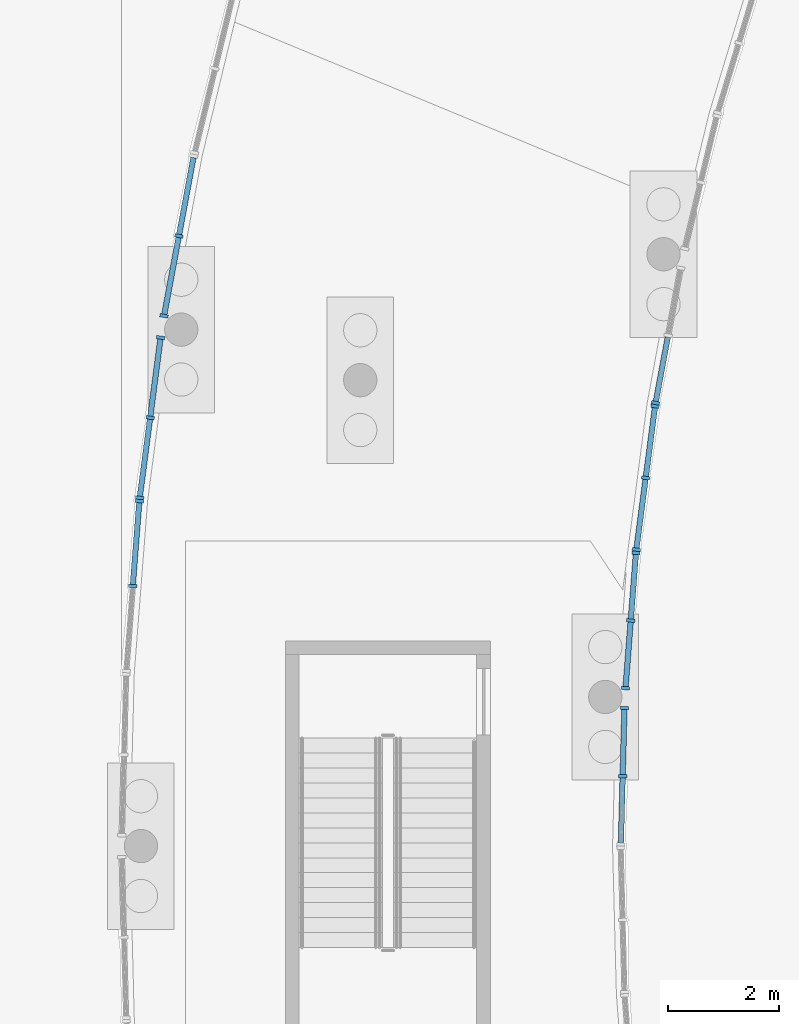
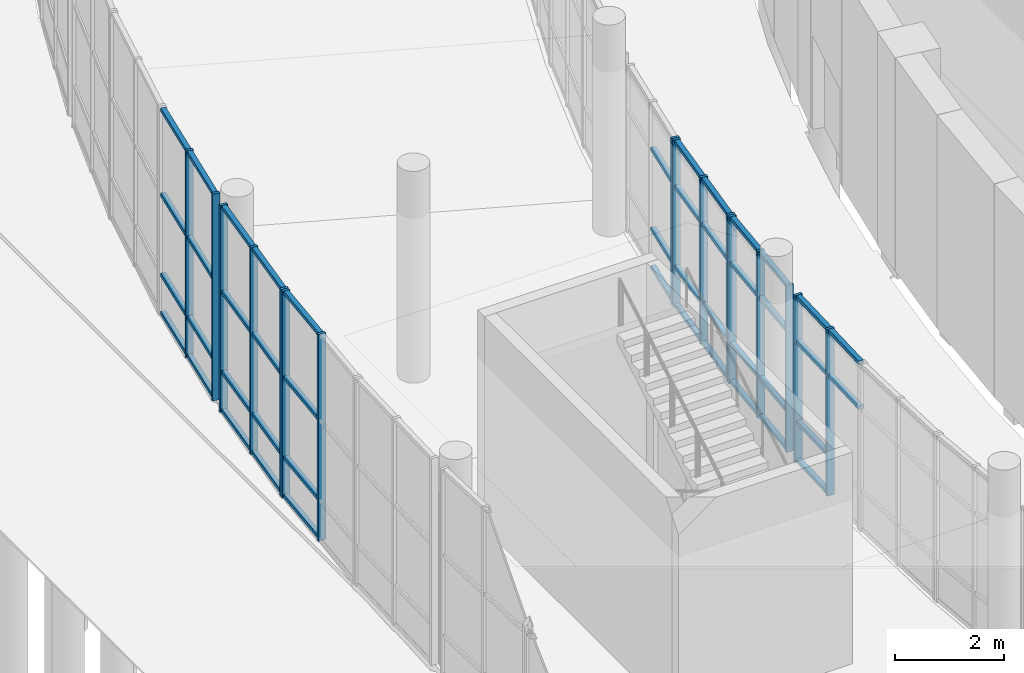
# One storey, part 23 of 110: 61 members, 7 elements without a shape of their own.
"""IFC4 building model written with IfcOpenShell, lengths in metres."""

from ifc_helpers import new_model, si_unit, direction, frame, origin, origin_2d, place, context, subcontext, project, spatial, rectangle, extrude, material, layer, layer_set, material_profile, profile_set, type_object, element, aggregate, save


model = new_model("IFC4")

# Units and contexts
model_context = context("Model", 3, precision=1e-05, world=origin(), true_north=direction((0.0, 1.0)))
body_context = subcontext(model_context, "Body", "Model", "MODEL_VIEW")
ifc_project = project(units=[si_unit("LENGTHUNIT", "METRE"), si_unit("AREAUNIT", "SQUARE_METRE"), si_unit("VOLUMEUNIT", "CUBIC_METRE"), si_unit("PLANEANGLEUNIT", "RADIAN"), si_unit("MASSUNIT", "GRAM", prefix="KILO")], contexts=[model_context])

# Site, building, storey
site_placement = place(None, origin())
site = spatial("IfcSite", under=ifc_project, at=site_placement, CompositionType="ELEMENT")
building_placement = place(site_placement, origin())
building = spatial("IfcBuilding", under=site, at=building_placement, Name="Larchfold Concert Hall", CompositionType="ELEMENT")
storey_placement = place(building_placement, origin())
storey = spatial("IfcBuildingStorey", under=building, at=storey_placement, Name="L00", CompositionType="ELEMENT", Elevation=0.0)

# Curtain wall, members
ifc_material_1 = material(Name="Anodised graphite aluminium curtain wall", Category="aluminium")
ifc_layer = layer(ifc_material_1, 0.14990234375)
ifc_layer_set = layer_set([ifc_layer], Name="Anodised graphite aluminium curtain wall")
curtain_wall_type = type_object("IfcCurtainWallType", Name="Curtain wall WG", PredefinedType="NOTDEFINED", material=ifc_layer_set)
curtain_wall_1_placement = place(storey_placement, origin())
curtain_wall_1 = element("IfcCurtainWall", 1, at=curtain_wall_1_placement, inside=storey, type_object=curtain_wall_type, Name="Curtain wall CW0071", PredefinedType="NOTDEFINED")
ifc_material_2 = material(Name="Anodised graphite aluminium mullion", Category="aluminium")
ifc_material_profile_1 = material_profile(ifc_material_2, rectangle(XDim=0.14990234375, YDim=0.06005859375, at=origin_2d()))
ifc_profile_set_1 = profile_set([ifc_material_profile_1], Name="Anodised graphite aluminium mullion")
member_type_1 = type_object("IfcMemberType", Name="Aluminium mullion 60x150", PredefinedType="MULLION", material=ifc_profile_set_1)
member_1_placement = place(storey_placement, frame((13.731201171875, 85.860107421875, 0.0), z_axis=(0.0, 0.0, 1.0), x_axis=(-0.999668113706, 0.025761646688, 0.0)))
member_1 = element("IfcMember", 2, at=member_1_placement, type_object=member_type_1, Name="CW0071 mullion 2", PredefinedType="MULLION", context=body_context, shape_type="SweptSolid", body=[
    extrude(rectangle(XDim=0.14990234375, YDim=0.06005859375, at=origin_2d()), origin(), (0.0, 0.0, 1.0), 3.75),
])
member_2_placement = place(storey_placement, frame((13.762939453125, 87.090087890625, 0.0), z_axis=(0.0, 0.0, 1.0), x_axis=(-0.999668113706, 0.025761646688, 0.0)))
member_2 = element("IfcMember", 3, at=member_2_placement, type_object=member_type_1, Name="CW0071 mullion 3", PredefinedType="MULLION", context=body_context, shape_type="SweptSolid", body=[
    extrude(rectangle(XDim=0.14990234375, YDim=0.06005859375, at=origin_2d()), origin(), (0.0, 0.0, 1.0), 3.75),
])

curtain_wall_2_placement = place(storey_placement, origin())
curtain_wall_2 = element("IfcCurtainWall", 4, at=curtain_wall_2_placement, inside=storey, type_object=curtain_wall_type, Name="Curtain wall CW0072", PredefinedType="NOTDEFINED")
member_3_placement = place(storey_placement, frame((13.781982421875, 87.44775390625, 0.0), z_axis=(0.0, 0.0, 1.0), x_axis=(-0.996988209709, 0.077553270089, 0.0)))
member_3 = element("IfcMember", 5, at=member_3_placement, type_object=member_type_1, Name="CW0072 mullion 1", PredefinedType="MULLION", context=body_context, shape_type="SweptSolid", body=[
    extrude(rectangle(XDim=0.14990234375, YDim=0.06005859375, at=origin_2d()), origin(), (0.0, 0.0, 1.0), 3.75),
])
member_4_placement = place(storey_placement, frame((13.876708984375, 88.666748046875, 0.0), z_axis=(0.0, 0.0, 1.0), x_axis=(-0.996988209709, 0.077553270089, 0.0)))
member_4 = element("IfcMember", 6, at=member_4_placement, type_object=member_type_1, Name="CW0072 mullion 2", PredefinedType="MULLION", context=body_context, shape_type="SweptSolid", body=[
    extrude(rectangle(XDim=0.14990234375, YDim=0.06005859375, at=origin_2d()), origin(), (0.0, 0.0, 1.0), 3.75),
])
member_5_placement = place(storey_placement, frame((13.971435546875, 89.885986328125, 0.0), z_axis=(0.0, 0.0, 1.0), x_axis=(-0.996988209709, 0.077553270089, 0.0)))
member_5 = element("IfcMember", 7, at=member_5_placement, type_object=member_type_1, Name="CW0072 mullion 3", PredefinedType="MULLION", context=body_context, shape_type="SweptSolid", body=[
    extrude(rectangle(XDim=0.14990234375, YDim=0.06005859375, at=origin_2d()), origin(), (0.0, 0.0, 1.0), 3.75),
])

curtain_wall_3_placement = place(storey_placement, origin())
curtain_wall_3 = element("IfcCurtainWall", 8, at=curtain_wall_3_placement, inside=storey, type_object=curtain_wall_type, Name="Curtain wall CW0073", PredefinedType="NOTDEFINED")
member_6_placement = place(storey_placement, frame((13.977783203125, 89.94580078125, 0.0), z_axis=(0.0, 0.0, 1.0), x_axis=(-0.991560542069, 0.129644480836, 0.0)))
member_6 = element("IfcMember", 9, at=member_6_placement, type_object=member_type_1, Name="CW0073 mullion 1", PredefinedType="MULLION", context=body_context, shape_type="SweptSolid", body=[
    extrude(rectangle(XDim=0.14990234375, YDim=0.06005859375, at=origin_2d()), origin(), (0.0, 0.0, 1.0), 3.75),
])
member_7_placement = place(storey_placement, frame((14.146728515625, 91.238037109375, 0.0), z_axis=(0.0, 0.0, 1.0), x_axis=(-0.991560542069, 0.129644480836, 0.0)))
member_7 = element("IfcMember", 10, at=member_7_placement, type_object=member_type_1, Name="CW0073 mullion 2", PredefinedType="MULLION", context=body_context, shape_type="SweptSolid", body=[
    extrude(rectangle(XDim=0.14990234375, YDim=0.06005859375, at=origin_2d()), origin(), (0.0, 0.0, 1.0), 3.75),
])
member_8_placement = place(storey_placement, frame((14.315673828125, 92.5302734375, 0.0), z_axis=(0.0, 0.0, 1.0), x_axis=(-0.991560542069, 0.129644480836, 0.0)))
member_8 = element("IfcMember", 11, at=member_8_placement, type_object=member_type_1, Name="CW0073 mullion 3", PredefinedType="MULLION", context=body_context, shape_type="SweptSolid", body=[
    extrude(rectangle(XDim=0.14990234375, YDim=0.06005859375, at=origin_2d()), origin(), (0.0, 0.0, 1.0), 3.75),
])

# Curtain wall, member
curtain_wall_4_placement = place(storey_placement, origin())
curtain_wall_4 = element("IfcCurtainWall", 12, at=curtain_wall_4_placement, inside=storey, type_object=curtain_wall_type, Name="Curtain wall CW0074", PredefinedType="NOTDEFINED")
member_9_placement = place(storey_placement, frame((14.324951171875, 92.589599609375, 0.0), z_axis=(0.0, 0.0, 1.0), x_axis=(-0.983232729264, 0.182355148282, 0.0)))
member_9 = element("IfcMember", 13, at=member_9_placement, type_object=member_type_1, Name="CW0074 mullion 1", PredefinedType="MULLION", context=body_context, shape_type="SweptSolid", body=[
    extrude(rectangle(XDim=0.14990234375, YDim=0.06005859375, at=origin_2d()), origin(), (0.0, 0.0, 1.0), 3.75),
])

# Curtain wall, members
curtain_wall_5_placement = place(storey_placement, origin())
curtain_wall_5 = element("IfcCurtainWall", 14, at=curtain_wall_5_placement, inside=storey, type_object=curtain_wall_type, Name="Curtain wall CW0115", PredefinedType="NOTDEFINED")
member_10_placement = place(storey_placement, frame((5.72998046875, 95.600341796875, 0.0), z_axis=(0.0, 0.0, 1.0), x_axis=(0.983234339724, -0.182346464695, 0.0)))
member_10 = element("IfcMember", 15, at=member_10_placement, type_object=member_type_1, Name="CW0115 mullion 2", PredefinedType="MULLION", context=body_context, shape_type="SweptSolid", body=[
    extrude(rectangle(XDim=0.14990234375, YDim=0.06005859375, at=origin_2d()), origin(), (0.0, 0.0, 1.0), 4.64990234375),
])
member_11_placement = place(storey_placement, frame((5.462646484375, 94.159423828125, 0.0), z_axis=(0.0, 0.0, 1.0), x_axis=(0.983234339724, -0.182346464695, 0.0)))
member_11 = element("IfcMember", 16, at=member_11_placement, type_object=member_type_1, Name="CW0115 mullion 3", PredefinedType="MULLION", context=body_context, shape_type="SweptSolid", body=[
    extrude(rectangle(XDim=0.14990234375, YDim=0.06005859375, at=origin_2d()), origin(), (0.0, 0.0, 1.0), 4.64990234375),
])

curtain_wall_6_placement = place(storey_placement, origin())
curtain_wall_6 = element("IfcCurtainWall", 17, at=curtain_wall_6_placement, inside=storey, type_object=curtain_wall_type, Name="Curtain wall CW0116", PredefinedType="NOTDEFINED")
member_12_placement = place(storey_placement, frame((5.40087890625, 93.767333984375, 0.0), z_axis=(0.0, 0.0, 1.0), x_axis=(0.991547671158, -0.129742883511, 0.0)))
member_12 = element("IfcMember", 18, at=member_12_placement, type_object=member_type_1, Name="CW0116 mullion 1", PredefinedType="MULLION", context=body_context, shape_type="SweptSolid", body=[
    extrude(rectangle(XDim=0.14990234375, YDim=0.06005859375, at=origin_2d()), origin(), (0.0, 0.0, 1.0), 4.64990234375),
])
member_13_placement = place(storey_placement, frame((5.2119140625, 92.322998046875, 0.0), z_axis=(0.0, 0.0, 1.0), x_axis=(0.991547671158, -0.129742883511, 0.0)))
member_13 = element("IfcMember", 19, at=member_13_placement, type_object=member_type_1, Name="CW0116 mullion 2", PredefinedType="MULLION", context=body_context, shape_type="SweptSolid", body=[
    extrude(rectangle(XDim=0.14990234375, YDim=0.06005859375, at=origin_2d()), origin(), (0.0, 0.0, 1.0), 4.64990234375),
])
member_14_placement = place(storey_placement, frame((5.02294921875, 90.87890625, 0.0), z_axis=(0.0, 0.0, 1.0), x_axis=(0.991547671158, -0.129742883511, 0.0)))
member_14 = element("IfcMember", 20, at=member_14_placement, type_object=member_type_1, Name="CW0116 mullion 3", PredefinedType="MULLION", context=body_context, shape_type="SweptSolid", body=[
    extrude(rectangle(XDim=0.14990234375, YDim=0.06005859375, at=origin_2d()), origin(), (0.0, 0.0, 1.0), 4.64990234375),
])

curtain_wall_7_placement = place(storey_placement, origin())
curtain_wall_7 = element("IfcCurtainWall", 21, at=curtain_wall_7_placement, inside=storey, type_object=curtain_wall_type, Name="Curtain wall CW0117", PredefinedType="NOTDEFINED")
member_15_placement = place(storey_placement, frame((5.0166015625, 90.819091796875, 0.0), z_axis=(0.0, 0.0, 1.0), x_axis=(0.996995051834, -0.077465260721, 0.0)))
member_15 = element("IfcMember", 22, at=member_15_placement, type_object=member_type_1, Name="CW0117 mullion 1", PredefinedType="MULLION", context=body_context, shape_type="SweptSolid", body=[
    extrude(rectangle(XDim=0.14990234375, YDim=0.06005859375, at=origin_2d()), origin(), (0.0, 0.0, 1.0), 4.64990234375),
])
member_16_placement = place(storey_placement, frame((4.897705078125, 89.28759765625, 0.0), z_axis=(0.0, 0.0, 1.0), x_axis=(0.996995051834, -0.077465260721, 0.0)))
member_16 = element("IfcMember", 23, at=member_16_placement, type_object=member_type_1, Name="CW0117 mullion 2", PredefinedType="MULLION", context=body_context, shape_type="SweptSolid", body=[
    extrude(rectangle(XDim=0.14990234375, YDim=0.06005859375, at=origin_2d()), origin(), (0.0, 0.0, 1.0), 4.64990234375),
])

# Member
ifc_material_3 = material(Name="Anodised graphite aluminium transom", Category="aluminium")
ifc_material_profile_2 = material_profile(ifc_material_3, rectangle(XDim=0.10009765625, YDim=0.080078125, at=origin_2d()))
ifc_profile_set_2 = profile_set([ifc_material_profile_2], Name="Anodised graphite aluminium transom")
member_type_2 = type_object("IfcMemberType", Name="Aluminium transom 80x100", PredefinedType="USERDEFINED", material=ifc_profile_set_2)
member_17_placement = place(storey_placement, frame((13.7001953125, 84.66015625, 2.699951171875), z_axis=(0.025867801791, 0.999665372427, 0.0), x_axis=(-0.999665372427, 0.025867801791, 0.0)))
member_17 = element("IfcMember", 24, at=member_17_placement, type_object=member_type_2, Name="CW0071 transom 1.3", ObjectType="TRANSOM", PredefinedType="USERDEFINED", context=body_context, shape_type="SweptSolid", body=[
    extrude(rectangle(XDim=0.10009765625, YDim=0.080078125, at=origin_2d()), origin(), (0.0, 0.0, 1.0), 1.17041015625),
])

member_18_placement = place(storey_placement, frame((13.7001953125, 84.66015625, 3.7099609375), z_axis=(0.025867801791, 0.999665372427, 0.0), x_axis=(-0.999665372427, 0.025867801791, 0.0)))
member_18 = element("IfcMember", 25, at=member_18_placement, type_object=member_type_2, Name="CW0071 transom 1.4", ObjectType="TRANSOM", PredefinedType="USERDEFINED", context=body_context, shape_type="SweptSolid", body=[
    extrude(rectangle(XDim=0.10009765625, YDim=0.080078125, at=origin_2d()), origin(), (0.0, 0.0, 1.0), 1.17041015625),
])

member_19_placement = place(storey_placement, frame((13.73193359375, 85.89013671875, 0.0400390625), z_axis=(0.025867801791, 0.999665372427, 0.0), x_axis=(-0.999665372427, 0.025867801791, 0.0)))
member_19 = element("IfcMember", 26, at=member_19_placement, type_object=member_type_2, Name="CW0071 transom 2.1", ObjectType="TRANSOM", PredefinedType="USERDEFINED", context=body_context, shape_type="SweptSolid", body=[
    extrude(rectangle(XDim=0.10009765625, YDim=0.080078125, at=origin_2d()), origin(), (0.0, 0.0, 1.0), 1.17041015625),
])

member_20_placement = place(storey_placement, frame((13.73193359375, 85.89013671875, 0.89990234375), z_axis=(0.025867801791, 0.999665372427, 0.0), x_axis=(-0.999665372427, 0.025867801791, 0.0)))
member_20 = element("IfcMember", 27, at=member_20_placement, type_object=member_type_2, Name="CW0071 transom 2.2", ObjectType="TRANSOM", PredefinedType="USERDEFINED", context=body_context, shape_type="SweptSolid", body=[
    extrude(rectangle(XDim=0.10009765625, YDim=0.080078125, at=origin_2d()), origin(), (0.0, 0.0, 1.0), 1.17041015625),
])

member_21_placement = place(storey_placement, frame((13.73193359375, 85.89013671875, 2.699951171875), z_axis=(0.025867801791, 0.999665372427, 0.0), x_axis=(-0.999665372427, 0.025867801791, 0.0)))
member_21 = element("IfcMember", 28, at=member_21_placement, type_object=member_type_2, Name="CW0071 transom 2.3", ObjectType="TRANSOM", PredefinedType="USERDEFINED", context=body_context, shape_type="SweptSolid", body=[
    extrude(rectangle(XDim=0.10009765625, YDim=0.080078125, at=origin_2d()), origin(), (0.0, 0.0, 1.0), 1.17041015625),
])

member_22_placement = place(storey_placement, frame((13.73193359375, 85.89013671875, 3.7099609375), z_axis=(0.025867801791, 0.999665372427, 0.0), x_axis=(-0.999665372427, 0.025867801791, 0.0)))
member_22 = element("IfcMember", 29, at=member_22_placement, type_object=member_type_2, Name="CW0071 transom 2.4", ObjectType="TRANSOM", PredefinedType="USERDEFINED", context=body_context, shape_type="SweptSolid", body=[
    extrude(rectangle(XDim=0.10009765625, YDim=0.080078125, at=origin_2d()), origin(), (0.0, 0.0, 1.0), 1.17041015625),
])

aggregate(curtain_wall_1, [member_1, member_2, member_17, member_18, member_19, member_20, member_21, member_22])

member_23_placement = place(storey_placement, frame((13.7841796875, 87.4775390625, 0.0400390625), z_axis=(0.077467071428, 0.996994911143, 0.0), x_axis=(-0.996994911143, 0.077467071428, 0.0)))
member_23 = element("IfcMember", 30, at=member_23_placement, type_object=member_type_2, Name="CW0072 transom 1.1", ObjectType="TRANSOM", PredefinedType="USERDEFINED", context=body_context, shape_type="SweptSolid", body=[
    extrude(rectangle(XDim=0.10009765625, YDim=0.080078125, at=origin_2d()), origin(), (0.0, 0.0, 1.0), 1.162841796875),
])

member_24_placement = place(storey_placement, frame((13.7841796875, 87.4775390625, 0.89990234375), z_axis=(0.077467071428, 0.996994911143, 0.0), x_axis=(-0.996994911143, 0.077467071428, 0.0)))
member_24 = element("IfcMember", 31, at=member_24_placement, type_object=member_type_2, Name="CW0072 transom 1.2", ObjectType="TRANSOM", PredefinedType="USERDEFINED", context=body_context, shape_type="SweptSolid", body=[
    extrude(rectangle(XDim=0.10009765625, YDim=0.080078125, at=origin_2d()), origin(), (0.0, 0.0, 1.0), 1.162841796875),
])

member_25_placement = place(storey_placement, frame((13.7841796875, 87.4775390625, 2.699951171875), z_axis=(0.077467071428, 0.996994911143, 0.0), x_axis=(-0.996994911143, 0.077467071428, 0.0)))
member_25 = element("IfcMember", 32, at=member_25_placement, type_object=member_type_2, Name="CW0072 transom 1.3", ObjectType="TRANSOM", PredefinedType="USERDEFINED", context=body_context, shape_type="SweptSolid", body=[
    extrude(rectangle(XDim=0.10009765625, YDim=0.080078125, at=origin_2d()), origin(), (0.0, 0.0, 1.0), 1.162841796875),
])

member_26_placement = place(storey_placement, frame((13.7841796875, 87.4775390625, 3.7099609375), z_axis=(0.077467071428, 0.996994911143, 0.0), x_axis=(-0.996994911143, 0.077467071428, 0.0)))
member_26 = element("IfcMember", 33, at=member_26_placement, type_object=member_type_2, Name="CW0072 transom 1.4", ObjectType="TRANSOM", PredefinedType="USERDEFINED", context=body_context, shape_type="SweptSolid", body=[
    extrude(rectangle(XDim=0.10009765625, YDim=0.080078125, at=origin_2d()), origin(), (0.0, 0.0, 1.0), 1.162841796875),
])

member_27_placement = place(storey_placement, frame((13.879150390625, 88.69677734375, 0.0400390625), z_axis=(0.077467071428, 0.996994911143, 0.0), x_axis=(-0.996994911143, 0.077467071428, 0.0)))
member_27 = element("IfcMember", 34, at=member_27_placement, type_object=member_type_2, Name="CW0072 transom 2.1", ObjectType="TRANSOM", PredefinedType="USERDEFINED", context=body_context, shape_type="SweptSolid", body=[
    extrude(rectangle(XDim=0.10009765625, YDim=0.080078125, at=origin_2d()), origin(), (0.0, 0.0, 1.0), 1.162841796875),
])

member_28_placement = place(storey_placement, frame((13.879150390625, 88.69677734375, 0.89990234375), z_axis=(0.077467071428, 0.996994911143, 0.0), x_axis=(-0.996994911143, 0.077467071428, 0.0)))
member_28 = element("IfcMember", 35, at=member_28_placement, type_object=member_type_2, Name="CW0072 transom 2.2", ObjectType="TRANSOM", PredefinedType="USERDEFINED", context=body_context, shape_type="SweptSolid", body=[
    extrude(rectangle(XDim=0.10009765625, YDim=0.080078125, at=origin_2d()), origin(), (0.0, 0.0, 1.0), 1.162841796875),
])

member_29_placement = place(storey_placement, frame((13.879150390625, 88.69677734375, 2.699951171875), z_axis=(0.077467071428, 0.996994911143, 0.0), x_axis=(-0.996994911143, 0.077467071428, 0.0)))
member_29 = element("IfcMember", 36, at=member_29_placement, type_object=member_type_2, Name="CW0072 transom 2.3", ObjectType="TRANSOM", PredefinedType="USERDEFINED", context=body_context, shape_type="SweptSolid", body=[
    extrude(rectangle(XDim=0.10009765625, YDim=0.080078125, at=origin_2d()), origin(), (0.0, 0.0, 1.0), 1.162841796875),
])

member_30_placement = place(storey_placement, frame((13.879150390625, 88.69677734375, 3.7099609375), z_axis=(0.077467071428, 0.996994911143, 0.0), x_axis=(-0.996994911143, 0.077467071428, 0.0)))
member_30 = element("IfcMember", 37, at=member_30_placement, type_object=member_type_2, Name="CW0072 transom 2.4", ObjectType="TRANSOM", PredefinedType="USERDEFINED", context=body_context, shape_type="SweptSolid", body=[
    extrude(rectangle(XDim=0.10009765625, YDim=0.080078125, at=origin_2d()), origin(), (0.0, 0.0, 1.0), 1.162841796875),
])

aggregate(curtain_wall_2, [member_3, member_4, member_5, member_23, member_24, member_25, member_26, member_27, member_28, member_29, member_30])

member_31_placement = place(storey_placement, frame((13.981689453125, 89.9755859375, 0.0400390625), z_axis=(0.129616239755, 0.991564234123, 0.0), x_axis=(-0.991564234123, 0.129616239755, 0.0)))
member_31 = element("IfcMember", 38, at=member_31_placement, type_object=member_type_2, Name="CW0073 transom 1.1", ObjectType="TRANSOM", PredefinedType="USERDEFINED", context=body_context, shape_type="SweptSolid", body=[
    extrude(rectangle(XDim=0.10009765625, YDim=0.080078125, at=origin_2d()), origin(), (0.0, 0.0, 1.0), 1.2431640625),
])

member_32_placement = place(storey_placement, frame((13.981689453125, 89.9755859375, 0.89990234375), z_axis=(0.129616239755, 0.991564234123, 0.0), x_axis=(-0.991564234123, 0.129616239755, 0.0)))
member_32 = element("IfcMember", 39, at=member_32_placement, type_object=member_type_2, Name="CW0073 transom 1.2", ObjectType="TRANSOM", PredefinedType="USERDEFINED", context=body_context, shape_type="SweptSolid", body=[
    extrude(rectangle(XDim=0.10009765625, YDim=0.080078125, at=origin_2d()), origin(), (0.0, 0.0, 1.0), 1.2431640625),
])

member_33_placement = place(storey_placement, frame((13.981689453125, 89.9755859375, 2.699951171875), z_axis=(0.129616239755, 0.991564234123, 0.0), x_axis=(-0.991564234123, 0.129616239755, 0.0)))
member_33 = element("IfcMember", 40, at=member_33_placement, type_object=member_type_2, Name="CW0073 transom 1.3", ObjectType="TRANSOM", PredefinedType="USERDEFINED", context=body_context, shape_type="SweptSolid", body=[
    extrude(rectangle(XDim=0.10009765625, YDim=0.080078125, at=origin_2d()), origin(), (0.0, 0.0, 1.0), 1.2431640625),
])

member_34_placement = place(storey_placement, frame((13.981689453125, 89.9755859375, 3.7099609375), z_axis=(0.129616239755, 0.991564234123, 0.0), x_axis=(-0.991564234123, 0.129616239755, 0.0)))
member_34 = element("IfcMember", 41, at=member_34_placement, type_object=member_type_2, Name="CW0073 transom 1.4", ObjectType="TRANSOM", PredefinedType="USERDEFINED", context=body_context, shape_type="SweptSolid", body=[
    extrude(rectangle(XDim=0.10009765625, YDim=0.080078125, at=origin_2d()), origin(), (0.0, 0.0, 1.0), 1.2431640625),
])

member_35_placement = place(storey_placement, frame((14.150634765625, 91.267822265625, 0.0400390625), z_axis=(0.129616239755, 0.991564234123, 0.0), x_axis=(-0.991564234123, 0.129616239755, 0.0)))
member_35 = element("IfcMember", 42, at=member_35_placement, type_object=member_type_2, Name="CW0073 transom 2.1", ObjectType="TRANSOM", PredefinedType="USERDEFINED", context=body_context, shape_type="SweptSolid", body=[
    extrude(rectangle(XDim=0.10009765625, YDim=0.080078125, at=origin_2d()), origin(), (0.0, 0.0, 1.0), 1.2431640625),
])

member_36_placement = place(storey_placement, frame((14.150634765625, 91.267822265625, 0.89990234375), z_axis=(0.129616239755, 0.991564234123, 0.0), x_axis=(-0.991564234123, 0.129616239755, 0.0)))
member_36 = element("IfcMember", 43, at=member_36_placement, type_object=member_type_2, Name="CW0073 transom 2.2", ObjectType="TRANSOM", PredefinedType="USERDEFINED", context=body_context, shape_type="SweptSolid", body=[
    extrude(rectangle(XDim=0.10009765625, YDim=0.080078125, at=origin_2d()), origin(), (0.0, 0.0, 1.0), 1.2431640625),
])

member_37_placement = place(storey_placement, frame((14.150634765625, 91.267822265625, 2.699951171875), z_axis=(0.129616239755, 0.991564234123, 0.0), x_axis=(-0.991564234123, 0.129616239755, 0.0)))
member_37 = element("IfcMember", 44, at=member_37_placement, type_object=member_type_2, Name="CW0073 transom 2.3", ObjectType="TRANSOM", PredefinedType="USERDEFINED", context=body_context, shape_type="SweptSolid", body=[
    extrude(rectangle(XDim=0.10009765625, YDim=0.080078125, at=origin_2d()), origin(), (0.0, 0.0, 1.0), 1.2431640625),
])

member_38_placement = place(storey_placement, frame((14.150634765625, 91.267822265625, 3.7099609375), z_axis=(0.129616239755, 0.991564234123, 0.0), x_axis=(-0.991564234123, 0.129616239755, 0.0)))
member_38 = element("IfcMember", 45, at=member_38_placement, type_object=member_type_2, Name="CW0073 transom 2.4", ObjectType="TRANSOM", PredefinedType="USERDEFINED", context=body_context, shape_type="SweptSolid", body=[
    extrude(rectangle(XDim=0.10009765625, YDim=0.080078125, at=origin_2d()), origin(), (0.0, 0.0, 1.0), 1.2431640625),
])

aggregate(curtain_wall_3, [member_6, member_7, member_8, member_31, member_32, member_33, member_34, member_35, member_36, member_37, member_38])

member_39_placement = place(storey_placement, frame((14.33056640625, 92.619140625, 0.0400390625), z_axis=(0.18231976708, 0.983239290576, 0.0), x_axis=(-0.983239290576, 0.18231976708, 0.0)))
member_39 = element("IfcMember", 46, at=member_39_placement, type_object=member_type_2, Name="CW0074 transom 1.1", ObjectType="TRANSOM", PredefinedType="USERDEFINED", context=body_context, shape_type="SweptSolid", body=[
    extrude(rectangle(XDim=0.10009765625, YDim=0.080078125, at=origin_2d()), origin(), (0.0, 0.0, 1.0), 1.17578125),
])

member_40_placement = place(storey_placement, frame((14.33056640625, 92.619140625, 0.89990234375), z_axis=(0.18231976708, 0.983239290576, 0.0), x_axis=(-0.983239290576, 0.18231976708, 0.0)))
member_40 = element("IfcMember", 47, at=member_40_placement, type_object=member_type_2, Name="CW0074 transom 1.2", ObjectType="TRANSOM", PredefinedType="USERDEFINED", context=body_context, shape_type="SweptSolid", body=[
    extrude(rectangle(XDim=0.10009765625, YDim=0.080078125, at=origin_2d()), origin(), (0.0, 0.0, 1.0), 1.17578125),
])

member_41_placement = place(storey_placement, frame((14.33056640625, 92.619140625, 2.699951171875), z_axis=(0.18231976708, 0.983239290576, 0.0), x_axis=(-0.983239290576, 0.18231976708, 0.0)))
member_41 = element("IfcMember", 48, at=member_41_placement, type_object=member_type_2, Name="CW0074 transom 1.3", ObjectType="TRANSOM", PredefinedType="USERDEFINED", context=body_context, shape_type="SweptSolid", body=[
    extrude(rectangle(XDim=0.10009765625, YDim=0.080078125, at=origin_2d()), origin(), (0.0, 0.0, 1.0), 1.17578125),
])

aggregate(curtain_wall_4, [member_9, member_39, member_40, member_41])

member_42_placement = place(storey_placement, frame((5.99169921875, 97.01171875, 0.0400390625), z_axis=(-0.182400278452, -0.98322435813, 0.0), x_axis=(0.98322435813, -0.182400278452, 0.0)))
member_42 = element("IfcMember", 49, at=member_42_placement, type_object=member_type_2, Name="CW0115 transom 1.1", ObjectType="TRANSOM", PredefinedType="USERDEFINED", context=body_context, shape_type="SweptSolid", body=[
    extrude(rectangle(XDim=0.10009765625, YDim=0.080078125, at=origin_2d()), origin(), (0.0, 0.0, 1.0), 1.405517578125),
])

member_43_placement = place(storey_placement, frame((5.99169921875, 97.01171875, 0.89990234375), z_axis=(-0.182400278452, -0.98322435813, 0.0), x_axis=(0.98322435813, -0.182400278452, 0.0)))
member_43 = element("IfcMember", 50, at=member_43_placement, type_object=member_type_2, Name="CW0115 transom 1.2", ObjectType="TRANSOM", PredefinedType="USERDEFINED", context=body_context, shape_type="SweptSolid", body=[
    extrude(rectangle(XDim=0.10009765625, YDim=0.080078125, at=origin_2d()), origin(), (0.0, 0.0, 1.0), 1.405517578125),
])

member_44_placement = place(storey_placement, frame((5.99169921875, 97.01171875, 2.699951171875), z_axis=(-0.182400278452, -0.98322435813, 0.0), x_axis=(0.98322435813, -0.182400278452, 0.0)))
member_44 = element("IfcMember", 51, at=member_44_placement, type_object=member_type_2, Name="CW0115 transom 1.3", ObjectType="TRANSOM", PredefinedType="USERDEFINED", context=body_context, shape_type="SweptSolid", body=[
    extrude(rectangle(XDim=0.10009765625, YDim=0.080078125, at=origin_2d()), origin(), (0.0, 0.0, 1.0), 1.405517578125),
])

member_45_placement = place(storey_placement, frame((5.99169921875, 97.01171875, 4.60986328125), z_axis=(-0.182400278452, -0.98322435813, 0.0), x_axis=(0.98322435813, -0.182400278452, 0.0)))
member_45 = element("IfcMember", 52, at=member_45_placement, type_object=member_type_2, Name="CW0115 transom 1.4", ObjectType="TRANSOM", PredefinedType="USERDEFINED", context=body_context, shape_type="SweptSolid", body=[
    extrude(rectangle(XDim=0.10009765625, YDim=0.080078125, at=origin_2d()), origin(), (0.0, 0.0, 1.0), 1.405517578125),
])

member_46_placement = place(storey_placement, frame((5.724609375, 95.57080078125, 0.0400390625), z_axis=(-0.182400278452, -0.98322435813, 0.0), x_axis=(0.98322435813, -0.182400278452, 0.0)))
member_46 = element("IfcMember", 53, at=member_46_placement, type_object=member_type_2, Name="CW0115 transom 2.1", ObjectType="TRANSOM", PredefinedType="USERDEFINED", context=body_context, shape_type="SweptSolid", body=[
    extrude(rectangle(XDim=0.10009765625, YDim=0.080078125, at=origin_2d()), origin(), (0.0, 0.0, 1.0), 1.405517578125),
])

member_47_placement = place(storey_placement, frame((5.724609375, 95.57080078125, 0.89990234375), z_axis=(-0.182400278452, -0.98322435813, 0.0), x_axis=(0.98322435813, -0.182400278452, 0.0)))
member_47 = element("IfcMember", 54, at=member_47_placement, type_object=member_type_2, Name="CW0115 transom 2.2", ObjectType="TRANSOM", PredefinedType="USERDEFINED", context=body_context, shape_type="SweptSolid", body=[
    extrude(rectangle(XDim=0.10009765625, YDim=0.080078125, at=origin_2d()), origin(), (0.0, 0.0, 1.0), 1.405517578125),
])

member_48_placement = place(storey_placement, frame((5.724609375, 95.57080078125, 2.699951171875), z_axis=(-0.182400278452, -0.98322435813, 0.0), x_axis=(0.98322435813, -0.182400278452, 0.0)))
member_48 = element("IfcMember", 55, at=member_48_placement, type_object=member_type_2, Name="CW0115 transom 2.3", ObjectType="TRANSOM", PredefinedType="USERDEFINED", context=body_context, shape_type="SweptSolid", body=[
    extrude(rectangle(XDim=0.10009765625, YDim=0.080078125, at=origin_2d()), origin(), (0.0, 0.0, 1.0), 1.405517578125),
])

member_49_placement = place(storey_placement, frame((5.724609375, 95.57080078125, 4.60986328125), z_axis=(-0.182400278452, -0.98322435813, 0.0), x_axis=(0.98322435813, -0.182400278452, 0.0)))
member_49 = element("IfcMember", 56, at=member_49_placement, type_object=member_type_2, Name="CW0115 transom 2.4", ObjectType="TRANSOM", PredefinedType="USERDEFINED", context=body_context, shape_type="SweptSolid", body=[
    extrude(rectangle(XDim=0.10009765625, YDim=0.080078125, at=origin_2d()), origin(), (0.0, 0.0, 1.0), 1.405517578125),
])

aggregate(curtain_wall_5, [member_10, member_11, member_42, member_43, member_44, member_45, member_46, member_47, member_48, member_49])

member_50_placement = place(storey_placement, frame((5.39697265625, 93.737548828125, 0.0400390625), z_axis=(-0.129712850417, -0.991551600491, 0.0), x_axis=(0.991551600491, -0.129712850417, 0.0)))
member_50 = element("IfcMember", 57, at=member_50_placement, type_object=member_type_2, Name="CW0116 transom 1.1", ObjectType="TRANSOM", PredefinedType="USERDEFINED", context=body_context, shape_type="SweptSolid", body=[
    extrude(rectangle(XDim=0.10009765625, YDim=0.080078125, at=origin_2d()), origin(), (0.0, 0.0, 1.0), 1.396484375),
])

member_51_placement = place(storey_placement, frame((5.39697265625, 93.737548828125, 0.89990234375), z_axis=(-0.129712850417, -0.991551600491, 0.0), x_axis=(0.991551600491, -0.129712850417, 0.0)))
member_51 = element("IfcMember", 58, at=member_51_placement, type_object=member_type_2, Name="CW0116 transom 1.2", ObjectType="TRANSOM", PredefinedType="USERDEFINED", context=body_context, shape_type="SweptSolid", body=[
    extrude(rectangle(XDim=0.10009765625, YDim=0.080078125, at=origin_2d()), origin(), (0.0, 0.0, 1.0), 1.396484375),
])

member_52_placement = place(storey_placement, frame((5.39697265625, 93.737548828125, 2.699951171875), z_axis=(-0.129712850417, -0.991551600491, 0.0), x_axis=(0.991551600491, -0.129712850417, 0.0)))
member_52 = element("IfcMember", 59, at=member_52_placement, type_object=member_type_2, Name="CW0116 transom 1.3", ObjectType="TRANSOM", PredefinedType="USERDEFINED", context=body_context, shape_type="SweptSolid", body=[
    extrude(rectangle(XDim=0.10009765625, YDim=0.080078125, at=origin_2d()), origin(), (0.0, 0.0, 1.0), 1.396484375),
])

member_53_placement = place(storey_placement, frame((5.39697265625, 93.737548828125, 4.60986328125), z_axis=(-0.129712850417, -0.991551600491, 0.0), x_axis=(0.991551600491, -0.129712850417, 0.0)))
member_53 = element("IfcMember", 60, at=member_53_placement, type_object=member_type_2, Name="CW0116 transom 1.4", ObjectType="TRANSOM", PredefinedType="USERDEFINED", context=body_context, shape_type="SweptSolid", body=[
    extrude(rectangle(XDim=0.10009765625, YDim=0.080078125, at=origin_2d()), origin(), (0.0, 0.0, 1.0), 1.396484375),
])

member_54_placement = place(storey_placement, frame((5.2080078125, 92.29345703125, 0.0400390625), z_axis=(-0.129712850417, -0.991551600491, 0.0), x_axis=(0.991551600491, -0.129712850417, 0.0)))
member_54 = element("IfcMember", 61, at=member_54_placement, type_object=member_type_2, Name="CW0116 transom 2.1", ObjectType="TRANSOM", PredefinedType="USERDEFINED", context=body_context, shape_type="SweptSolid", body=[
    extrude(rectangle(XDim=0.10009765625, YDim=0.080078125, at=origin_2d()), origin(), (0.0, 0.0, 1.0), 1.396484375),
])

member_55_placement = place(storey_placement, frame((5.2080078125, 92.29345703125, 0.89990234375), z_axis=(-0.129712850417, -0.991551600491, 0.0), x_axis=(0.991551600491, -0.129712850417, 0.0)))
member_55 = element("IfcMember", 62, at=member_55_placement, type_object=member_type_2, Name="CW0116 transom 2.2", ObjectType="TRANSOM", PredefinedType="USERDEFINED", context=body_context, shape_type="SweptSolid", body=[
    extrude(rectangle(XDim=0.10009765625, YDim=0.080078125, at=origin_2d()), origin(), (0.0, 0.0, 1.0), 1.396484375),
])

member_56_placement = place(storey_placement, frame((5.2080078125, 92.29345703125, 2.699951171875), z_axis=(-0.129712850417, -0.991551600491, 0.0), x_axis=(0.991551600491, -0.129712850417, 0.0)))
member_56 = element("IfcMember", 63, at=member_56_placement, type_object=member_type_2, Name="CW0116 transom 2.3", ObjectType="TRANSOM", PredefinedType="USERDEFINED", context=body_context, shape_type="SweptSolid", body=[
    extrude(rectangle(XDim=0.10009765625, YDim=0.080078125, at=origin_2d()), origin(), (0.0, 0.0, 1.0), 1.396484375),
])

member_57_placement = place(storey_placement, frame((5.2080078125, 92.29345703125, 4.60986328125), z_axis=(-0.129712850417, -0.991551600491, 0.0), x_axis=(0.991551600491, -0.129712850417, 0.0)))
member_57 = element("IfcMember", 64, at=member_57_placement, type_object=member_type_2, Name="CW0116 transom 2.4", ObjectType="TRANSOM", PredefinedType="USERDEFINED", context=body_context, shape_type="SweptSolid", body=[
    extrude(rectangle(XDim=0.10009765625, YDim=0.080078125, at=origin_2d()), origin(), (0.0, 0.0, 1.0), 1.396484375),
])

aggregate(curtain_wall_6, [member_12, member_13, member_14, member_50, member_51, member_52, member_53, member_54, member_55, member_56, member_57])

member_58_placement = place(storey_placement, frame((5.014404296875, 90.789306640625, 0.0400390625), z_axis=(-0.077391996533, -0.997000741661, 0.0), x_axis=(0.997000741661, -0.077391996533, 0.0)))
member_58 = element("IfcMember", 65, at=member_58_placement, type_object=member_type_2, Name="CW0117 transom 1.1", ObjectType="TRANSOM", PredefinedType="USERDEFINED", context=body_context, shape_type="SweptSolid", body=[
    extrude(rectangle(XDim=0.10009765625, YDim=0.080078125, at=origin_2d()), origin(), (0.0, 0.0, 1.0), 1.476318359375),
])

member_59_placement = place(storey_placement, frame((5.014404296875, 90.789306640625, 0.89990234375), z_axis=(-0.077391996533, -0.997000741661, 0.0), x_axis=(0.997000741661, -0.077391996533, 0.0)))
member_59 = element("IfcMember", 66, at=member_59_placement, type_object=member_type_2, Name="CW0117 transom 1.2", ObjectType="TRANSOM", PredefinedType="USERDEFINED", context=body_context, shape_type="SweptSolid", body=[
    extrude(rectangle(XDim=0.10009765625, YDim=0.080078125, at=origin_2d()), origin(), (0.0, 0.0, 1.0), 1.476318359375),
])

member_60_placement = place(storey_placement, frame((5.014404296875, 90.789306640625, 2.699951171875), z_axis=(-0.077391996533, -0.997000741661, 0.0), x_axis=(0.997000741661, -0.077391996533, 0.0)))
member_60 = element("IfcMember", 67, at=member_60_placement, type_object=member_type_2, Name="CW0117 transom 1.3", ObjectType="TRANSOM", PredefinedType="USERDEFINED", context=body_context, shape_type="SweptSolid", body=[
    extrude(rectangle(XDim=0.10009765625, YDim=0.080078125, at=origin_2d()), origin(), (0.0, 0.0, 1.0), 1.476318359375),
])

member_61_placement = place(storey_placement, frame((5.014404296875, 90.789306640625, 4.60986328125), z_axis=(-0.077391996533, -0.997000741661, 0.0), x_axis=(0.997000741661, -0.077391996533, 0.0)))
member_61 = element("IfcMember", 68, at=member_61_placement, type_object=member_type_2, Name="CW0117 transom 1.4", ObjectType="TRANSOM", PredefinedType="USERDEFINED", context=body_context, shape_type="SweptSolid", body=[
    extrude(rectangle(XDim=0.10009765625, YDim=0.080078125, at=origin_2d()), origin(), (0.0, 0.0, 1.0), 1.476318359375),
])

aggregate(curtain_wall_7, [member_15, member_16, member_58, member_59, member_60, member_61])

save(model, "model.ifc")
